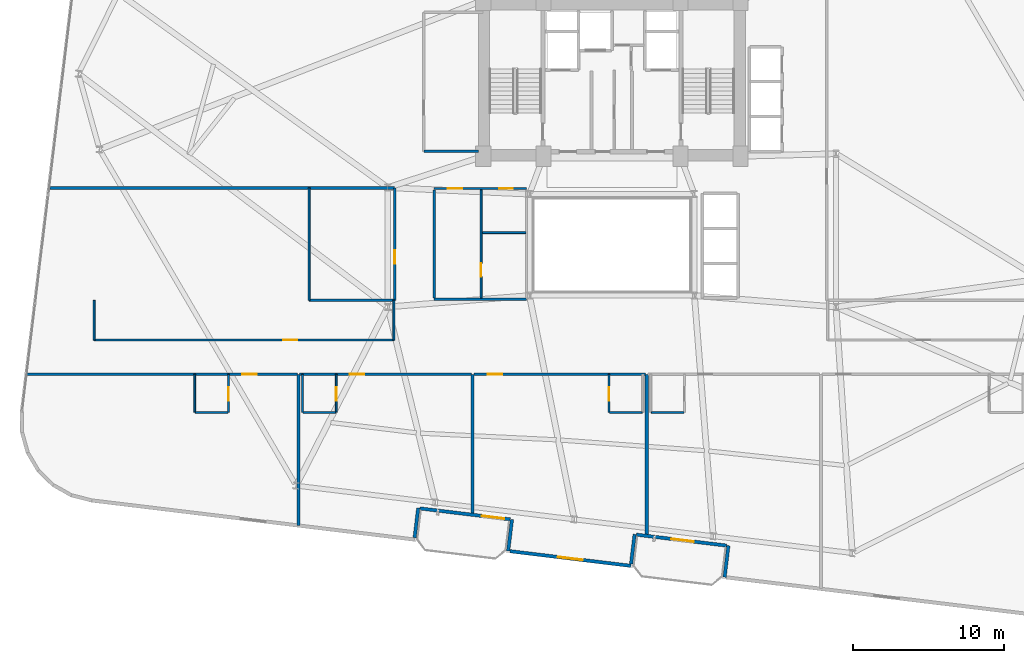
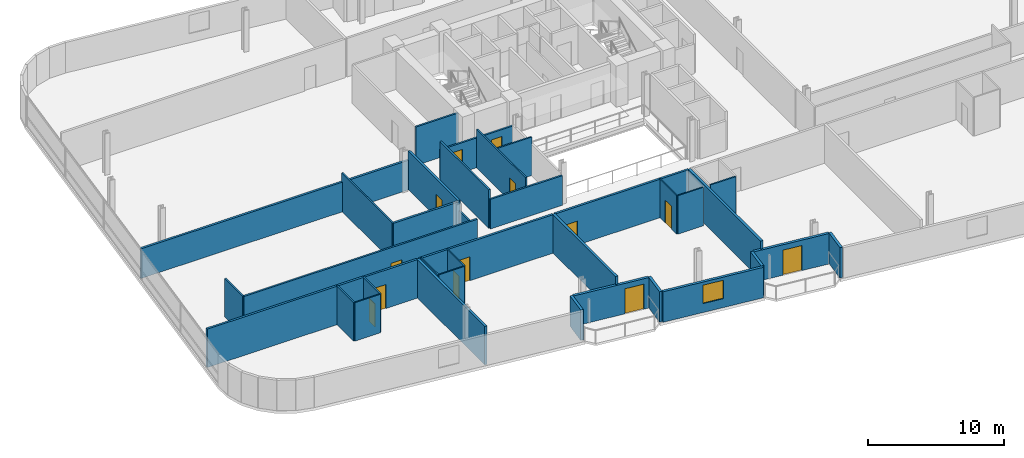
# One storey, part 20 of 25: 35 walls, 13 doors, 1 window, 14 openings.
"""IFC4 building model written with IfcOpenShell, lengths in metres."""

from ifc_helpers import new_model, si_unit, direction, frame, frame_2d, origin, place, context, subcontext, project, spatial, rectangle, extrude, material, layer, layer_set, type_object, element, fill, save


model = new_model("IFC4")

# Units and contexts
model_context = context("Model", 3, precision=1e-05, world=origin(), true_north=direction((0.0, 1.0)))
body_context = subcontext(model_context, "Body", "Model", "MODEL_VIEW")
ifc_project = project(units=[si_unit("LENGTHUNIT", "METRE"), si_unit("AREAUNIT", "SQUARE_METRE"), si_unit("VOLUMEUNIT", "CUBIC_METRE"), si_unit("PLANEANGLEUNIT", "RADIAN"), si_unit("MASSUNIT", "GRAM", prefix="KILO")], contexts=[model_context])

# Site, building, storey
site_placement = place(None, origin())
site = spatial("IfcSite", under=ifc_project, at=site_placement, CompositionType="ELEMENT")
building_placement = place(site_placement, origin())
building = spatial("IfcBuilding", under=site, at=building_placement, Name="Varnelok Gate Tower", CompositionType="ELEMENT")
storey_placement = place(building_placement, frame((0.0, 0.0, 132.800048828125)))
storey = spatial("IfcBuildingStorey", under=building, at=storey_placement, Name="L33", CompositionType="ELEMENT", Elevation=132.800048828125)

# Wall, opening, door
ifc_material_1 = material(Name="Concrete C45/55", Category="concrete")
ifc_layer_1 = layer(ifc_material_1, 0.219970703125)
ifc_layer_set_1 = layer_set([ifc_layer_1], Name="Concrete C45/55")
wall_type_1 = type_object("IfcWallType", Name="EW-BALC-220", PredefinedType="SOLIDWALL", material=ifc_layer_set_1)
wall_1_placement = place(storey_placement, frame((32.48046875, 4.76953125, 0.0), z_axis=(0.0, 0.0, 1.0), x_axis=(-0.992735402148, 0.120318000826, 0.0)))
wall_1 = element("IfcWall", 1, at=wall_1_placement, inside=storey, type_object=wall_type_1, Name="L33 South Terrace Envelope Wall 1", PredefinedType="SOLIDWALL", context=body_context, shape_type="SweptSolid", body=[
    extrude(rectangle(XDim=6.000244140625, YDim=0.219970703125, at=frame_2d((3.0, 0.0))), origin(), (0.0, 0.0, 1.0), 2.72998046875),
])
opening_1_placement = place(wall_1_placement, frame((0.39990234375, 0.0, 0.0)))
opening_1 = element("IfcOpeningElement", 2, at=opening_1_placement, cuts=wall_1, Name="Opening BD-1", PredefinedType="OPENING", context=body_context, shape_type="SweptSolid", body=[
    extrude(rectangle(XDim=1.5, YDim=2.25, at=frame_2d((0.75, 1.125))), frame((0.0, 0.119873046875, 0.0), z_axis=(0.0, -1.0, 0.0), x_axis=(1.0, 0.0, 0.0)), (0.0, 0.0, 1.0), 0.239990234375),
])
ifc_material_2 = material(Name="Anodized Aluminum Alloy 6063-T6", Category="aluminium")
door_type_1 = type_object("IfcDoorType", Name="DR-EXT-BALC1500", OperationType="NOTDEFINED", PredefinedType="DOOR", material=ifc_material_2)
door_1_placement = place(opening_1_placement, origin())
door_1 = element("IfcDoor", 3, at=door_1_placement, inside=storey, type_object=door_type_1, Name="L33 South Balcony Glazed Door 1", OperationType="SINGLE_SWING_RIGHT", OverallHeight=2.25, OverallWidth=1.5, PredefinedType="DOOR", context=body_context, shape_type="SweptSolid", body=[
    extrude(rectangle(XDim=1.5, YDim=2.25, at=frame_2d((0.75, 1.125))), frame((0.0, 0.02490234375, 0.0), z_axis=(0.0, -1.0, 0.0), x_axis=(1.0, 0.0, 0.0)), (0.0, 0.0, 1.0), 0.050048828125),
])
fill(opening_1, door_1)

wall_2_placement = place(storey_placement, frame((46.77587890625, 3.03662109375, 0.0), z_axis=(0.0, 0.0, 1.0), x_axis=(-0.992735402148, 0.120318000826, 0.0)))
wall_2 = element("IfcWall", 4, at=wall_2_placement, inside=storey, type_object=wall_type_1, Name="L33 South Terrace Envelope Wall 2", PredefinedType="SOLIDWALL", context=body_context, shape_type="SweptSolid", body=[
    extrude(rectangle(XDim=6.000244140625, YDim=0.219970703125, at=frame_2d((3.0, 0.0))), origin(), (0.0, 0.0, 1.0), 2.72998046875),
])
opening_2_placement = place(wall_2_placement, frame((2.176025390625, 0.0, 0.0)))
opening_2 = element("IfcOpeningElement", 5, at=opening_2_placement, cuts=wall_2, Name="Opening BD-1", PredefinedType="OPENING", context=body_context, shape_type="SweptSolid", body=[
    extrude(rectangle(XDim=1.5, YDim=2.25, at=frame_2d((0.75, 1.125))), frame((0.0, 0.119873046875, 0.0), z_axis=(0.0, -1.0, 0.0), x_axis=(1.0, 0.0, 0.0)), (0.0, 0.0, 1.0), 0.239990234375),
])
door_2_placement = place(opening_2_placement, origin())
door_2 = element("IfcDoor", 6, at=door_2_placement, inside=storey, type_object=door_type_1, Name="L33 South Balcony Glazed Door 2", OperationType="SINGLE_SWING_LEFT", OverallHeight=2.25, OverallWidth=1.5, PredefinedType="DOOR", context=body_context, shape_type="SweptSolid", body=[
    extrude(rectangle(XDim=1.5, YDim=2.25, at=frame_2d((0.75, 1.125))), frame((0.0, 0.02490234375, 0.0), z_axis=(0.0, -1.0, 0.0), x_axis=(1.0, 0.0, 0.0)), (0.0, 0.0, 1.0), 0.050048828125),
])
fill(opening_2, door_2)

# Walls
wall_3_placement = place(storey_placement, frame((26.16845703125, 3.555419921875, 0.0), z_axis=(0.0, 0.0, 1.0), x_axis=(0.120290754542, 0.992738703976, 0.0)))
element("IfcWall", 7, at=wall_3_placement, inside=storey, type_object=wall_type_1, Name="L33 Perimeter Facade Closure Wall 8", PredefinedType="SOLIDWALL", context=body_context, shape_type="SweptSolid", body=[
    extrude(rectangle(XDim=1.974853515625, YDim=0.219970703125, at=frame_2d((0.9873046875, 0.0))), origin(), (0.0, 0.0, 1.0), 2.72998046875),
])
wall_4_placement = place(storey_placement, frame((32.600830078125, 4.764892578125, 0.0), z_axis=(0.0, 0.0, 1.0), x_axis=(-0.120327895535, -0.992734202874, 0.0)))
element("IfcWall", 8, at=wall_4_placement, inside=storey, type_object=wall_type_1, Name="L33 Perimeter Facade Closure Wall 9", PredefinedType="SOLIDWALL", context=body_context, shape_type="SweptSolid", body=[
    extrude(rectangle(XDim=2.099853515625, YDim=0.219970703125, at=frame_2d((1.0498046875, 0.0))), origin(), (0.0, 0.0, 1.0), 2.72998046875),
])

# Wall, opening, window
wall_5_placement = place(storey_placement, frame((32.47216796875, 2.6650390625, 0.0), z_axis=(0.0, 0.0, 1.0), x_axis=(0.992734661931, -0.120324108143, 0.0)))
wall_5 = element("IfcWall", 9, at=wall_5_placement, inside=storey, type_object=wall_type_1, Name="L33 Perimeter Facade Closure Wall 10", PredefinedType="SOLIDWALL", context=body_context, shape_type="SweptSolid", body=[
    extrude(rectangle(XDim=8.034912109375, YDim=0.219970703125, at=frame_2d((4.017578125, 0.0))), origin(), (0.0, 0.0, 1.0), 2.72998046875),
])
opening_3_placement = place(wall_5_placement, frame((3.1923828125, 0.0, 0.800048828125)))
opening_3 = element("IfcOpeningElement", 10, at=opening_3_placement, cuts=wall_5, Name="Opening WN3", PredefinedType="OPENING", context=body_context, shape_type="SweptSolid", body=[
    extrude(rectangle(XDim=1.64990234375, YDim=1.64990234375, at=frame_2d((0.824951171875, 0.824951171875))), frame((0.0, 0.119873046875, 0.0), z_axis=(0.0, -1.0, 0.0), x_axis=(1.0, 0.0, 0.0)), (0.0, 0.0, 1.0), 0.239990234375),
])
ifc_material_3 = material(Name="Low-E Laminated Double Glazing IGU", Category="glass")
window_type = type_object("IfcWindowType", Name="WN-HTL-1650", PartitioningType="SINGLE_PANEL", PredefinedType="WINDOW", material=ifc_material_3)
window_placement = place(opening_3_placement, origin())
window = element("IfcWindow", 11, at=window_placement, inside=storey, type_object=window_type, Name="L33 Perimeter Vision Window 10", OverallHeight=1.64990234375, OverallWidth=1.64990234375, PartitioningType="SINGLE_PANEL", PredefinedType="WINDOW", context=body_context, shape_type="SweptSolid", body=[
    extrude(rectangle(XDim=1.64990234375, YDim=1.64990234375, at=frame_2d((0.824951171875, 0.824951171875))), frame((0.0, 0.030029296875, 0.0), z_axis=(0.0, -1.0, 0.0), x_axis=(1.0, 0.0, 0.0)), (0.0, 0.0, 1.0), 0.06005859375),
])
fill(opening_3, window)

# Walls
wall_6_placement = place(storey_placement, frame((40.4638671875, 1.822265625, 0.0), z_axis=(0.0, 0.0, 1.0), x_axis=(0.120275992932, 0.992740492538, 0.0)))
element("IfcWall", 12, at=wall_6_placement, inside=storey, type_object=wall_type_1, Name="L33 Perimeter Facade Closure Wall 11", PredefinedType="SOLIDWALL", context=body_context, shape_type="SweptSolid", body=[
    extrude(rectangle(XDim=1.97509765625, YDim=0.219970703125, at=frame_2d((0.987548828125, 0.0))), origin(), (0.0, 0.0, 1.0), 2.72998046875),
])
wall_7_placement = place(storey_placement, frame((46.89599609375, 3.031982421875, 0.0), z_axis=(0.0, 0.0, 1.0), x_axis=(-0.120327895535, -0.992734202874, 0.0)))
element("IfcWall", 13, at=wall_7_placement, inside=storey, type_object=wall_type_1, Name="L33 Perimeter Facade Closure Wall 12", PredefinedType="SOLIDWALL", context=body_context, shape_type="SweptSolid", body=[
    extrude(rectangle(XDim=2.099853515625, YDim=0.219970703125, at=frame_2d((1.0498046875, 0.0))), origin(), (0.0, 0.0, 1.0), 2.72998046875),
])

# Wall, opening, door
ifc_material_4 = material(Name="Gypsum Plasterboard Acoustic Partition", Category="gypsum")
ifc_layer_2 = layer(ifc_material_4, 0.179931640625)
ifc_layer_set_2 = layer_set([ifc_layer_2], Name="Gypsum Plasterboard Acoustic Partition")
wall_type_2 = type_object("IfcWallType", Name="PW-CORR-180", PredefinedType="PARTITIONING", material=ifc_layer_set_2)
wall_8_placement = place(storey_placement, frame((0.581298828125, 14.35009765625, 0.0), z_axis=(0.0, 0.0, 1.0), x_axis=(1.0, 0.0, 0.0)))
wall_8 = element("IfcWall", 14, at=wall_8_placement, inside=storey, type_object=wall_type_2, Name="Interior Partition", PredefinedType="PARTITIONING", context=body_context, shape_type="SweptSolid", body=[
    extrude(rectangle(XDim=17.838623046875, YDim=0.179931640625, at=frame_2d((8.91943359375, 0.0))), origin(), (0.0, 0.0, 1.0), 3.449951171875),
])
opening_4_placement = place(wall_8_placement, frame((14.195556640625, 0.0, 0.0)))
opening_4 = element("IfcOpeningElement", 15, at=opening_4_placement, cuts=wall_8, Name="Opening D-HT", PredefinedType="OPENING", context=body_context, shape_type="SweptSolid", body=[
    extrude(rectangle(XDim=0.949951171875, YDim=2.14990234375, at=frame_2d((0.47509765625, 1.074951171875))), frame((0.0, 0.099853515625, 0.0), z_axis=(0.0, -1.0, 0.0), x_axis=(1.0, 0.0, 0.0)), (0.0, 0.0, 1.0), 0.199951171875),
])
ifc_material_5 = material(Name="Engineered Hardwood Timber", Category="wood")
door_type_2 = type_object("IfcDoorType", Name="DR-HTL-950", OperationType="NOTDEFINED", PredefinedType="DOOR", material=ifc_material_5)
door_3_placement = place(opening_4_placement, origin())
door_3 = element("IfcDoor", 16, at=door_3_placement, inside=storey, type_object=door_type_2, Name="L33 Guest Room 01 Entrance Door", OperationType="SINGLE_SWING_RIGHT", OverallHeight=2.14990234375, OverallWidth=0.949951171875, PredefinedType="DOOR", context=body_context, shape_type="SweptSolid", body=[
    extrude(rectangle(XDim=0.949951171875, YDim=2.14990234375, at=frame_2d((0.47509765625, 1.074951171875))), frame((0.0, 0.02490234375, 0.0), z_axis=(0.0, -1.0, 0.0), x_axis=(1.0, 0.0, 0.0)), (0.0, 0.0, 1.0), 0.050048828125),
])
fill(opening_4, door_3)

wall_9_placement = place(storey_placement, frame((18.580078125, 14.35009765625, 0.0), z_axis=(0.0, 0.0, 1.0), x_axis=(1.0, 0.0, 0.0)))
wall_9 = element("IfcWall", 17, at=wall_9_placement, inside=storey, type_object=wall_type_2, Name="Interior Partition", PredefinedType="PARTITIONING", context=body_context, shape_type="SweptSolid", body=[
    extrude(rectangle(XDim=11.33984375, YDim=0.179931640625, at=frame_2d((5.669921875, 0.0))), origin(), (0.0, 0.0, 1.0), 3.449951171875),
])
opening_5_placement = place(wall_9_placement, frame((3.313232421875, 0.0, 0.0)))
opening_5 = element("IfcOpeningElement", 18, at=opening_5_placement, cuts=wall_9, Name="Opening D-HT", PredefinedType="OPENING", context=body_context, shape_type="SweptSolid", body=[
    extrude(rectangle(XDim=0.949951171875, YDim=2.14990234375, at=frame_2d((0.47509765625, 1.074951171875))), frame((0.0, 0.099853515625, 0.0), z_axis=(0.0, -1.0, 0.0), x_axis=(1.0, 0.0, 0.0)), (0.0, 0.0, 1.0), 0.199951171875),
])
door_4_placement = place(opening_5_placement, origin())
door_4 = element("IfcDoor", 19, at=door_4_placement, inside=storey, type_object=door_type_2, Name="L33 Guest Room 02 Entrance Door", OperationType="SINGLE_SWING_LEFT", OverallHeight=2.14990234375, OverallWidth=0.949951171875, PredefinedType="DOOR", context=body_context, shape_type="SweptSolid", body=[
    extrude(rectangle(XDim=0.949951171875, YDim=2.14990234375, at=frame_2d((0.47509765625, 1.074951171875))), frame((0.0, 0.02490234375, 0.0), z_axis=(0.0, -1.0, 0.0), x_axis=(1.0, 0.0, 0.0)), (0.0, 0.0, 1.0), 0.050048828125),
])
fill(opening_5, door_4)

wall_10_placement = place(storey_placement, frame((30.080078125, 14.35009765625, 0.0), z_axis=(0.0, 0.0, 1.0), x_axis=(1.0, 0.0, 0.0)))
wall_10 = element("IfcWall", 20, at=wall_10_placement, inside=storey, type_object=wall_type_2, Name="Interior Partition", PredefinedType="PARTITIONING", context=body_context, shape_type="SweptSolid", body=[
    extrude(rectangle(XDim=11.33984375, YDim=0.179931640625, at=frame_2d((5.669921875, 0.0))), origin(), (0.0, 0.0, 1.0), 3.449951171875),
])
opening_6_placement = place(wall_10_placement, frame((0.92333984375, 0.0, 0.0)))
opening_6 = element("IfcOpeningElement", 21, at=opening_6_placement, cuts=wall_10, Name="Opening D-HT", PredefinedType="OPENING", context=body_context, shape_type="SweptSolid", body=[
    extrude(rectangle(XDim=0.949951171875, YDim=2.14990234375, at=frame_2d((0.47509765625, 1.074951171875))), frame((0.0, 0.099853515625, 0.0), z_axis=(0.0, -1.0, 0.0), x_axis=(1.0, 0.0, 0.0)), (0.0, 0.0, 1.0), 0.199951171875),
])
door_5_placement = place(opening_6_placement, origin())
door_5 = element("IfcDoor", 22, at=door_5_placement, inside=storey, type_object=door_type_2, Name="L33 Guest Room 03 Entrance Door", OperationType="SINGLE_SWING_RIGHT", OverallHeight=2.14990234375, OverallWidth=0.949951171875, PredefinedType="DOOR", context=body_context, shape_type="SweptSolid", body=[
    extrude(rectangle(XDim=0.949951171875, YDim=2.14990234375, at=frame_2d((0.47509765625, 1.074951171875))), frame((0.0, 0.02490234375, 0.0), z_axis=(0.0, -1.0, 0.0), x_axis=(1.0, 0.0, 0.0)), (0.0, 0.0, 1.0), 0.050048828125),
])
fill(opening_6, door_5)

wall_11_placement = place(storey_placement, frame((24.85009765625, 19.239990234375, 0.0), z_axis=(0.0, 0.0, 1.0), x_axis=(0.0, 1.0, 0.0)))
wall_11 = element("IfcWall", 23, at=wall_11_placement, inside=storey, type_object=wall_type_2, Name="Interior Partition", PredefinedType="PARTITIONING", context=body_context, shape_type="SweptSolid", body=[
    extrude(rectangle(XDim=7.419921875, YDim=0.179931640625, at=frame_2d((3.7099609375, 0.0))), origin(), (0.0, 0.0, 1.0), 3.449951171875),
])
opening_7_placement = place(wall_11_placement, frame((2.39990234375, 0.0, 0.0)))
opening_7 = element("IfcOpeningElement", 24, at=opening_7_placement, cuts=wall_11, Name="Opening D-I3", PredefinedType="OPENING", context=body_context, shape_type="SweptSolid", body=[
    extrude(rectangle(XDim=0.919921875, YDim=2.050048828125, at=frame_2d((0.4599609375, 1.02490234375))), frame((0.0, 0.099853515625, 0.0), z_axis=(0.0, -1.0, 0.0), x_axis=(1.0, 0.0, 0.0)), (0.0, 0.0, 1.0), 0.199951171875),
])
door_type_3 = type_object("IfcDoorType", Name="DR-INT-920", OperationType="NOTDEFINED", PredefinedType="DOOR", material=ifc_material_5)
door_6_placement = place(opening_7_placement, origin())
door_6 = element("IfcDoor", 25, at=door_6_placement, inside=storey, type_object=door_type_3, Name="L33 West Playroom Door", OperationType="SINGLE_SWING_LEFT", OverallHeight=2.050048828125, OverallWidth=0.919921875, PredefinedType="DOOR", context=body_context, shape_type="SweptSolid", body=[
    extrude(rectangle(XDim=0.919921875, YDim=2.050048828125, at=frame_2d((0.4599609375, 1.02490234375))), frame((0.0, 0.02490234375, 0.0), z_axis=(0.0, -1.0, 0.0), x_axis=(1.0, 0.0, 0.0)), (0.0, 0.0, 1.0), 0.050048828125),
])
fill(opening_7, door_6)

# Walls
wall_12_placement = place(storey_placement, frame((19.199951171875, 19.239990234375, 0.0), z_axis=(0.0, 0.0, 1.0), x_axis=(1.0, 0.0, 0.0)))
element("IfcWall", 26, at=wall_12_placement, inside=storey, type_object=wall_type_2, Name="Interior Partition", PredefinedType="PARTITIONING", context=body_context, shape_type="SweptSolid", body=[
    extrude(rectangle(XDim=5.650146484375, YDim=0.179931640625, at=frame_2d((2.8251953125, 0.0))), origin(), (0.0, 0.0, 1.0), 3.449951171875),
])
wall_13_placement = place(storey_placement, frame((2.073486328125, 26.659912109375, 0.0), z_axis=(0.0, 0.0, 1.0), x_axis=(1.0, 0.0, 0.0)))
element("IfcWall", 27, at=wall_13_placement, inside=storey, type_object=wall_type_2, Name="Interior Partition", PredefinedType="PARTITIONING", context=body_context, shape_type="SweptSolid", body=[
    extrude(rectangle(XDim=22.776611328125, YDim=0.179931640625, at=frame_2d((11.38818359375, 0.0))), origin(), (0.0, 0.0, 1.0), 2.661865234375),
])
ifc_layer_3 = layer(ifc_material_4, 0.114990234375)
ifc_layer_set_3 = layer_set([ifc_layer_3], Name="Gypsum Plasterboard Acoustic Partition")
wall_type_3 = type_object("IfcWallType", Name="PW-ENS-125", PredefinedType="PARTITIONING", material=ifc_layer_set_3)
wall_14_placement = place(storey_placement, frame((11.679931640625, 11.830078125, 0.0), z_axis=(0.0, 0.0, 1.0), x_axis=(1.0, 0.0, 0.0)))
element("IfcWall", 28, at=wall_14_placement, inside=storey, type_object=wall_type_3, Name="Interior Partition", PredefinedType="PARTITIONING", context=body_context, shape_type="SweptSolid", body=[
    extrude(rectangle(XDim=2.150146484375, YDim=0.114990234375, at=frame_2d((1.0751953125, 0.0))), origin(), (0.0, 0.0, 1.0), 3.449951171875),
])

# Wall, opening, door
wall_15_placement = place(storey_placement, frame((13.8701171875, 11.830078125, 0.0), z_axis=(0.0, 0.0, 1.0), x_axis=(0.0, 1.0, 0.0)))
wall_15 = element("IfcWall", 29, at=wall_15_placement, inside=storey, type_object=wall_type_3, Name="Interior Partition", PredefinedType="PARTITIONING", context=body_context, shape_type="SweptSolid", body=[
    extrude(rectangle(XDim=2.52001953125, YDim=0.114990234375, at=frame_2d((1.260009765625, 0.0))), origin(), (0.0, 0.0, 1.0), 3.449951171875),
])
opening_8_placement = place(wall_15_placement, frame((0.760009765625, 0.0, 0.0)))
opening_8 = element("IfcOpeningElement", 30, at=opening_8_placement, cuts=wall_15, Name="Opening D-WC", PredefinedType="OPENING", context=body_context, shape_type="SweptSolid", body=[
    extrude(rectangle(XDim=0.89990234375, YDim=2.050048828125, at=frame_2d((0.449951171875, 1.02490234375))), frame((0.0, 0.0673828125, 0.0), z_axis=(0.0, -1.0, 0.0), x_axis=(1.0, 0.0, 0.0)), (0.0, 0.0, 1.0), 0.135009765625),
])
door_type_4 = type_object("IfcDoorType", Name="DR-BATH-900", OperationType="NOTDEFINED", PredefinedType="DOOR", material=ifc_material_5)
door_7_placement = place(opening_8_placement, origin())
door_7 = element("IfcDoor", 31, at=door_7_placement, inside=storey, type_object=door_type_4, Name="L33 Guest En-Suite 01 Door", OperationType="SINGLE_SWING_LEFT", OverallHeight=2.050048828125, OverallWidth=0.89990234375, PredefinedType="DOOR", context=body_context, shape_type="SweptSolid", body=[
    extrude(rectangle(XDim=0.89990234375, YDim=2.050048828125, at=frame_2d((0.449951171875, 1.02490234375))), frame((0.0, 0.02490234375, 0.0), z_axis=(0.0, -1.0, 0.0), x_axis=(1.0, 0.0, 0.0)), (0.0, 0.0, 1.0), 0.050048828125),
])
fill(opening_8, door_7)

# Walls
wall_16_placement = place(storey_placement, frame((11.639892578125, 11.830078125, 0.0), z_axis=(0.0, 0.0, 1.0), x_axis=(0.0, 1.0, 0.0)))
element("IfcWall", 32, at=wall_16_placement, inside=storey, type_object=wall_type_3, Name="Interior Partition", PredefinedType="PARTITIONING", context=body_context, shape_type="SweptSolid", body=[
    extrude(rectangle(XDim=2.52001953125, YDim=0.114990234375, at=frame_2d((1.260009765625, 0.0))), origin(), (0.0, 0.0, 1.0), 3.449951171875),
])
wall_17_placement = place(storey_placement, frame((18.800048828125, 11.830078125, 0.0), z_axis=(0.0, 0.0, 1.0), x_axis=(1.0, 0.0, 0.0)))
element("IfcWall", 33, at=wall_17_placement, inside=storey, type_object=wall_type_3, Name="Interior Partition", PredefinedType="PARTITIONING", context=body_context, shape_type="SweptSolid", body=[
    extrude(rectangle(XDim=2.14990234375, YDim=0.114990234375, at=frame_2d((1.074951171875, 0.0))), origin(), (0.0, 0.0, 1.0), 3.449951171875),
])

# Wall, opening, door
wall_18_placement = place(storey_placement, frame((20.989990234375, 11.830078125, 0.0), z_axis=(0.0, 0.0, 1.0), x_axis=(0.0, 1.0, 0.0)))
wall_18 = element("IfcWall", 34, at=wall_18_placement, inside=storey, type_object=wall_type_3, Name="Interior Partition", PredefinedType="PARTITIONING", context=body_context, shape_type="SweptSolid", body=[
    extrude(rectangle(XDim=2.52001953125, YDim=0.114990234375, at=frame_2d((1.260009765625, 0.0))), origin(), (0.0, 0.0, 1.0), 3.449951171875),
])
opening_9_placement = place(wall_18_placement, frame((0.760009765625, 0.0, 0.0)))
opening_9 = element("IfcOpeningElement", 35, at=opening_9_placement, cuts=wall_18, Name="Opening D-WC", PredefinedType="OPENING", context=body_context, shape_type="SweptSolid", body=[
    extrude(rectangle(XDim=0.89990234375, YDim=2.050048828125, at=frame_2d((0.449951171875, 1.02490234375))), frame((0.0, 0.0673828125, 0.0), z_axis=(0.0, -1.0, 0.0), x_axis=(1.0, 0.0, 0.0)), (0.0, 0.0, 1.0), 0.135009765625),
])
door_8_placement = place(opening_9_placement, origin())
door_8 = element("IfcDoor", 36, at=door_8_placement, inside=storey, type_object=door_type_4, Name="L33 Guest En-Suite 02 Door", OperationType="SINGLE_SWING_LEFT", OverallHeight=2.050048828125, OverallWidth=0.89990234375, PredefinedType="DOOR", context=body_context, shape_type="SweptSolid", body=[
    extrude(rectangle(XDim=0.89990234375, YDim=2.050048828125, at=frame_2d((0.449951171875, 1.02490234375))), frame((0.0, 0.02490234375, 0.0), z_axis=(0.0, -1.0, 0.0), x_axis=(1.0, 0.0, 0.0)), (0.0, 0.0, 1.0), 0.050048828125),
])
fill(opening_9, door_8)

# Walls
wall_19_placement = place(storey_placement, frame((18.760009765625, 11.830078125, 0.0), z_axis=(0.0, 0.0, 1.0), x_axis=(0.0, 1.0, 0.0)))
element("IfcWall", 37, at=wall_19_placement, inside=storey, type_object=wall_type_3, Name="Interior Partition", PredefinedType="PARTITIONING", context=body_context, shape_type="SweptSolid", body=[
    extrude(rectangle(XDim=2.52001953125, YDim=0.114990234375, at=frame_2d((1.260009765625, 0.0))), origin(), (0.0, 0.0, 1.0), 3.449951171875),
])
wall_20_placement = place(storey_placement, frame((39.050048828125, 11.830078125, 0.0), z_axis=(0.0, 0.0, 1.0), x_axis=(1.0, 0.0, 0.0)))
element("IfcWall", 38, at=wall_20_placement, inside=storey, type_object=wall_type_3, Name="Interior Partition", PredefinedType="PARTITIONING", context=body_context, shape_type="SweptSolid", body=[
    extrude(rectangle(XDim=2.14990234375, YDim=0.114990234375, at=frame_2d((1.074951171875, 0.0))), origin(), (0.0, 0.0, 1.0), 3.449951171875),
])

# Wall, opening, door
wall_21_placement = place(storey_placement, frame((39.010009765625, 11.830078125, 0.0), z_axis=(0.0, 0.0, 1.0), x_axis=(0.0, 1.0, 0.0)))
wall_21 = element("IfcWall", 39, at=wall_21_placement, inside=storey, type_object=wall_type_3, Name="Interior Partition", PredefinedType="PARTITIONING", context=body_context, shape_type="SweptSolid", body=[
    extrude(rectangle(XDim=2.52001953125, YDim=0.114990234375, at=frame_2d((1.260009765625, 0.0))), origin(), (0.0, 0.0, 1.0), 3.449951171875),
])
opening_10_placement = place(wall_21_placement, frame((0.760009765625, 0.0, 0.0)))
opening_10 = element("IfcOpeningElement", 40, at=opening_10_placement, cuts=wall_21, Name="Opening D-WC", PredefinedType="OPENING", context=body_context, shape_type="SweptSolid", body=[
    extrude(rectangle(XDim=0.89990234375, YDim=2.050048828125, at=frame_2d((0.449951171875, 1.02490234375))), frame((0.0, 0.0673828125, 0.0), z_axis=(0.0, -1.0, 0.0), x_axis=(1.0, 0.0, 0.0)), (0.0, 0.0, 1.0), 0.135009765625),
])
door_9_placement = place(opening_10_placement, origin())
door_9 = element("IfcDoor", 41, at=door_9_placement, inside=storey, type_object=door_type_4, Name="L33 Guest En-Suite 03 Door", OperationType="SINGLE_SWING_RIGHT", OverallHeight=2.050048828125, OverallWidth=0.89990234375, PredefinedType="DOOR", context=body_context, shape_type="SweptSolid", body=[
    extrude(rectangle(XDim=0.89990234375, YDim=2.050048828125, at=frame_2d((0.449951171875, 1.02490234375))), frame((0.0, 0.02490234375, 0.0), z_axis=(0.0, -1.0, 0.0), x_axis=(1.0, 0.0, 0.0)), (0.0, 0.0, 1.0), 0.050048828125),
])
fill(opening_10, door_9)

# Walls
wall_22_placement = place(storey_placement, frame((41.800048828125, 11.830078125, 0.0), z_axis=(0.0, 0.0, 1.0), x_axis=(1.0, 0.0, 0.0)))
element("IfcWall", 42, at=wall_22_placement, inside=storey, type_object=wall_type_3, Name="Interior Partition", PredefinedType="PARTITIONING", context=body_context, shape_type="SweptSolid", body=[
    extrude(rectangle(XDim=2.14990234375, YDim=0.114990234375, at=frame_2d((1.074951171875, 0.0))), origin(), (0.0, 0.0, 1.0), 3.449951171875),
])
ifc_layer_4 = layer(ifc_material_4, 0.125)
ifc_layer_set_4 = layer_set([ifc_layer_4], Name="Gypsum Plasterboard Acoustic Partition")
wall_type_4 = type_object("IfcWallType", Name="PW-PART-125", PredefinedType="PARTITIONING", material=ifc_layer_set_4)
wall_23_placement = place(storey_placement, frame((5.0, 16.610107421875, 0.0), z_axis=(0.0, 0.0, 1.0), x_axis=(0.0, 1.0, 0.0)))
element("IfcWall", 43, at=wall_23_placement, inside=storey, type_object=wall_type_4, Name="Interior Partition", PredefinedType="PARTITIONING", context=body_context, shape_type="SweptSolid", body=[
    extrude(rectangle(XDim=2.6298828125, YDim=0.125, at=frame_2d((1.31494140625, 0.0))), origin(), (0.0, 0.0, 1.0), 3.449951171875),
])
wall_24_placement = place(storey_placement, frame((24.800048828125, 16.610107421875, 0.0), z_axis=(0.0, 0.0, 1.0), x_axis=(0.0, 1.0, 0.0)))
element("IfcWall", 44, at=wall_24_placement, inside=storey, type_object=wall_type_4, Name="Interior Partition", PredefinedType="PARTITIONING", context=body_context, shape_type="SweptSolid", body=[
    extrude(rectangle(XDim=2.6298828125, YDim=0.125, at=frame_2d((1.31494140625, 0.0))), origin(), (0.0, 0.0, 1.0), 2.661865234375),
])
wall_25_placement = place(storey_placement, frame((19.199951171875, 19.239990234375, 0.0), z_axis=(0.0, 0.0, 1.0), x_axis=(0.0, 1.0, 0.0)))
element("IfcWall", 45, at=wall_25_placement, inside=storey, type_object=wall_type_4, Name="Interior Partition", PredefinedType="PARTITIONING", context=body_context, shape_type="SweptSolid", body=[
    extrude(rectangle(XDim=7.419921875, YDim=0.125, at=frame_2d((3.7099609375, 0.0))), origin(), (0.0, 0.0, 1.0), 3.449951171875),
])

# Wall, opening, door
wall_26_placement = place(storey_placement, frame((30.56005859375, 19.3798828125, 0.0), z_axis=(0.0, 0.0, 1.0), x_axis=(0.0, 1.0, 0.0)))
wall_26 = element("IfcWall", 46, at=wall_26_placement, inside=storey, type_object=wall_type_4, Name="Interior Partition", PredefinedType="PARTITIONING", context=body_context, shape_type="SweptSolid", body=[
    extrude(rectangle(XDim=7.16015625, YDim=0.125, at=frame_2d((3.580078125, 0.0))), origin(), (0.0, 0.0, 1.0), 3.449951171875),
])
opening_11_placement = place(wall_26_placement, frame((1.39990234375, 0.0, 0.0)))
opening_11 = element("IfcOpeningElement", 47, at=opening_11_placement, cuts=wall_26, Name="Opening D-I3", PredefinedType="OPENING", context=body_context, shape_type="SweptSolid", body=[
    extrude(rectangle(XDim=0.919921875, YDim=2.050048828125, at=frame_2d((0.4599609375, 1.02490234375))), frame((0.0, 0.072509765625, 0.0), z_axis=(0.0, -1.0, 0.0), x_axis=(1.0, 0.0, 0.0)), (0.0, 0.0, 1.0), 0.14501953125),
])
door_10_placement = place(opening_11_placement, origin())
door_10 = element("IfcDoor", 48, at=door_10_placement, inside=storey, type_object=door_type_3, Name="L33 Floor Linen Store Door", OperationType="SINGLE_SWING_RIGHT", OverallHeight=2.050048828125, OverallWidth=0.919921875, PredefinedType="DOOR", context=body_context, shape_type="SweptSolid", body=[
    extrude(rectangle(XDim=0.919921875, YDim=2.050048828125, at=frame_2d((0.4599609375, 1.02490234375))), frame((0.0, 0.02490234375, 0.0), z_axis=(0.0, -1.0, 0.0), x_axis=(1.0, 0.0, 0.0)), (0.0, 0.0, 1.0), 0.050048828125),
])
fill(opening_11, door_10)

# Wall
wall_27_placement = place(storey_placement, frame((30.639892578125, 23.7099609375, 0.0), z_axis=(0.0, 0.0, 1.0), x_axis=(1.0, 0.0, 0.0)))
element("IfcWall", 49, at=wall_27_placement, inside=storey, type_object=wall_type_4, Name="Interior Partition", PredefinedType="PARTITIONING", context=body_context, shape_type="SweptSolid", body=[
    extrude(rectangle(XDim=2.880126953125, YDim=0.125, at=frame_2d((1.43994140625, 0.0))), origin(), (0.0, 0.0, 1.0), 3.449951171875),
])

# Wall, opening, door
ifc_layer_5 = layer(ifc_material_4, 0.14990234375)
ifc_layer_set_5 = layer_set([ifc_layer_5], Name="Gypsum Plasterboard Acoustic Partition")
wall_type_5 = type_object("IfcWallType", Name="PW-PART-150", PredefinedType="PARTITIONING", material=ifc_layer_set_5)
wall_28_placement = place(storey_placement, frame((5.0, 16.610107421875, 0.0), z_axis=(0.0, 0.0, 1.0), x_axis=(1.0, 0.0, 0.0)))
wall_28 = element("IfcWall", 50, at=wall_28_placement, inside=storey, type_object=wall_type_5, Name="Interior Partition", PredefinedType="PARTITIONING", context=body_context, shape_type="SweptSolid", body=[
    extrude(rectangle(XDim=19.800048828125, YDim=0.14990234375, at=frame_2d((9.89990234375, 0.0))), origin(), (0.0, 0.0, 1.0), 3.449951171875),
])
opening_12_placement = place(wall_28_placement, frame((12.485107421875, 0.0, 0.0)))
opening_12 = element("IfcOpeningElement", 51, at=opening_12_placement, cuts=wall_28, Name="Opening D-I3", PredefinedType="OPENING", context=body_context, shape_type="SweptSolid", body=[
    extrude(rectangle(XDim=0.919921875, YDim=2.050048828125, at=frame_2d((0.4599609375, 1.02490234375))), frame((0.0, 0.0849609375, 0.0), z_axis=(0.0, -1.0, 0.0), x_axis=(1.0, 0.0, 0.0)), (0.0, 0.0, 1.0), 0.169921875),
])
door_11_placement = place(opening_12_placement, origin())
door_11 = element("IfcDoor", 52, at=door_11_placement, inside=storey, type_object=door_type_3, Name="L33 Atrium Room 1 Door", OperationType="SINGLE_SWING_LEFT", OverallHeight=2.050048828125, OverallWidth=0.919921875, PredefinedType="DOOR", context=body_context, shape_type="SweptSolid", body=[
    extrude(rectangle(XDim=0.919921875, YDim=2.050048828125, at=frame_2d((0.4599609375, 1.02490234375))), frame((0.0, 0.02490234375, 0.0), z_axis=(0.0, -1.0, 0.0), x_axis=(1.0, 0.0, 0.0)), (0.0, 0.0, 1.0), 0.050048828125),
])
fill(opening_12, door_11)

# Wall, openings, doors
wall_29_placement = place(storey_placement, frame((27.4599609375, 26.6201171875, 0.0), z_axis=(0.0, 0.0, 1.0), x_axis=(1.0, 0.0, 0.0)))
wall_29 = element("IfcWall", 53, at=wall_29_placement, inside=storey, type_object=wall_type_5, Name="Interior Partition", PredefinedType="PARTITIONING", context=body_context, shape_type="SweptSolid", body=[
    extrude(rectangle(XDim=6.10009765625, YDim=0.14990234375, at=frame_2d((3.050048828125, 0.0))), origin(), (0.0, 0.0, 1.0), 2.661865234375),
])
opening_13_placement = place(wall_29_placement, frame((0.89990234375, 0.0, 0.0)))
opening_13 = element("IfcOpeningElement", 54, at=opening_13_placement, cuts=wall_29, Name="Opening D-I2", PredefinedType="OPENING", context=body_context, shape_type="SweptSolid", body=[
    extrude(rectangle(XDim=0.949951171875, YDim=2.050048828125, at=frame_2d((0.47509765625, 1.02490234375))), frame((0.0, 0.0849609375, 0.0), z_axis=(0.0, -1.0, 0.0), x_axis=(1.0, 0.0, 0.0)), (0.0, 0.0, 1.0), 0.169921875),
])
opening_14_placement = place(wall_29_placement, frame((4.302978515625, 0.0, 0.0)))
opening_14 = element("IfcOpeningElement", 55, at=opening_14_placement, cuts=wall_29, Name="Opening D-WC", PredefinedType="OPENING", context=body_context, shape_type="SweptSolid", body=[
    extrude(rectangle(XDim=0.89990234375, YDim=2.050048828125, at=frame_2d((0.449951171875, 1.02490234375))), frame((0.0, 0.0849609375, 0.0), z_axis=(0.0, -1.0, 0.0), x_axis=(1.0, 0.0, 0.0)), (0.0, 0.0, 1.0), 0.169921875),
])
door_12_placement = place(opening_14_placement, origin())
door_12 = element("IfcDoor", 56, at=door_12_placement, inside=storey, type_object=door_type_4, Name="L33 Accessible Floor WC Door", OperationType="SINGLE_SWING_LEFT", OverallHeight=2.050048828125, OverallWidth=0.89990234375, PredefinedType="DOOR", context=body_context, shape_type="SweptSolid", body=[
    extrude(rectangle(XDim=0.89990234375, YDim=2.050048828125, at=frame_2d((0.449951171875, 1.02490234375))), frame((0.0, 0.02490234375, 0.0), z_axis=(0.0, -1.0, 0.0), x_axis=(1.0, 0.0, 0.0)), (0.0, 0.0, 1.0), 0.050048828125),
])
fill(opening_14, door_12)
door_type_5 = type_object("IfcDoorType", Name="DR-INT-950", OperationType="NOTDEFINED", PredefinedType="DOOR", material=ifc_material_5)
door_13_placement = place(opening_13_placement, origin())
door_13 = element("IfcDoor", 57, at=door_13_placement, inside=storey, type_object=door_type_5, Name="L33 Hotel Business Center Door", OperationType="SINGLE_SWING_RIGHT", OverallHeight=2.050048828125, OverallWidth=0.949951171875, PredefinedType="DOOR", context=body_context, shape_type="SweptSolid", body=[
    extrude(rectangle(XDim=0.949951171875, YDim=2.050048828125, at=frame_2d((0.47509765625, 1.02490234375))), frame((0.0, 0.02490234375, 0.0), z_axis=(0.0, -1.0, 0.0), x_axis=(1.0, 0.0, 0.0)), (0.0, 0.0, 1.0), 0.050048828125),
])
fill(opening_13, door_13)

# Walls
wall_30_placement = place(storey_placement, frame((27.4599609375, 19.300048828125, 0.0), z_axis=(0.0, 0.0, 1.0), x_axis=(1.0, 0.0, 0.0)))
element("IfcWall", 58, at=wall_30_placement, inside=storey, type_object=wall_type_5, Name="Interior Partition", PredefinedType="PARTITIONING", context=body_context, shape_type="SweptSolid", body=[
    extrude(rectangle(XDim=6.10009765625, YDim=0.14990234375, at=frame_2d((3.050048828125, 0.0))), origin(), (0.0, 0.0, 1.0), 2.661865234375),
])
wall_31_placement = place(storey_placement, frame((27.4599609375, 19.3798828125, 0.0), z_axis=(0.0, 0.0, 1.0), x_axis=(0.0, 1.0, 0.0)))
element("IfcWall", 59, at=wall_31_placement, inside=storey, type_object=wall_type_5, Name="Interior Partition", PredefinedType="PARTITIONING", context=body_context, shape_type="SweptSolid", body=[
    extrude(rectangle(XDim=7.16015625, YDim=0.14990234375, at=frame_2d((3.580078125, 0.0))), origin(), (0.0, 0.0, 1.0), 3.449951171875),
])
wall_32_placement = place(storey_placement, frame((26.780029296875, 29.080078125, 0.0), z_axis=(0.0, 0.0, 1.0), x_axis=(1.0, 0.0, 0.0)))
element("IfcWall", 60, at=wall_32_placement, inside=storey, type_object=wall_type_5, Name="Interior Partition", PredefinedType="PARTITIONING", context=body_context, shape_type="SweptSolid", body=[
    extrude(rectangle(XDim=3.599853515625, YDim=0.14990234375, at=frame_2d((1.7998046875, 0.0))), origin(), (0.0, 0.0, 1.0), 3.449951171875),
])
ifc_layer_6 = layer(ifc_material_4, 0.205078125)
ifc_layer_set_6 = layer_set([ifc_layer_6], Name="Gypsum Plasterboard Acoustic Partition")
wall_type_6 = type_object("IfcWallType", Name="PW-PARTY-200", PredefinedType="PARTITIONING", material=ifc_layer_set_6)
wall_33_placement = place(storey_placement, frame((18.5, 4.379150390625, 0.0), z_axis=(0.0, 0.0, 1.0), x_axis=(0.0, 1.0, 0.0)))
element("IfcWall", 61, at=wall_33_placement, inside=storey, type_object=wall_type_6, Name="L33 South Party Wall 1", PredefinedType="PARTITIONING", context=body_context, shape_type="SweptSolid", body=[
    extrude(rectangle(XDim=9.970947265625, YDim=0.205078125, at=frame_2d((4.9853515625, 0.0))), origin(), (0.0, 0.0, 1.0), 3.449951171875),
])
wall_34_placement = place(storey_placement, frame((30.0, 5.100341796875, 0.0), z_axis=(0.0, 0.0, 1.0), x_axis=(0.0, 1.0, 0.0)))
element("IfcWall", 62, at=wall_34_placement, inside=storey, type_object=wall_type_6, Name="L33 South Party Wall 2", PredefinedType="PARTITIONING", context=body_context, shape_type="SweptSolid", body=[
    extrude(rectangle(XDim=9.249755859375, YDim=0.205078125, at=frame_2d((4.625, 0.0))), origin(), (0.0, 0.0, 1.0), 3.449951171875),
])
wall_35_placement = place(storey_placement, frame((41.5, 3.706298828125, 0.0), z_axis=(0.0, 0.0, 1.0), x_axis=(0.0, 1.0, 0.0)))
element("IfcWall", 63, at=wall_35_placement, inside=storey, type_object=wall_type_6, Name="L33 South Party Wall 3", PredefinedType="PARTITIONING", context=body_context, shape_type="SweptSolid", body=[
    extrude(rectangle(XDim=10.643798828125, YDim=0.205078125, at=frame_2d((5.32177734375, 0.0))), origin(), (0.0, 0.0, 1.0), 3.449951171875),
])

save(model, "model.ifc")
